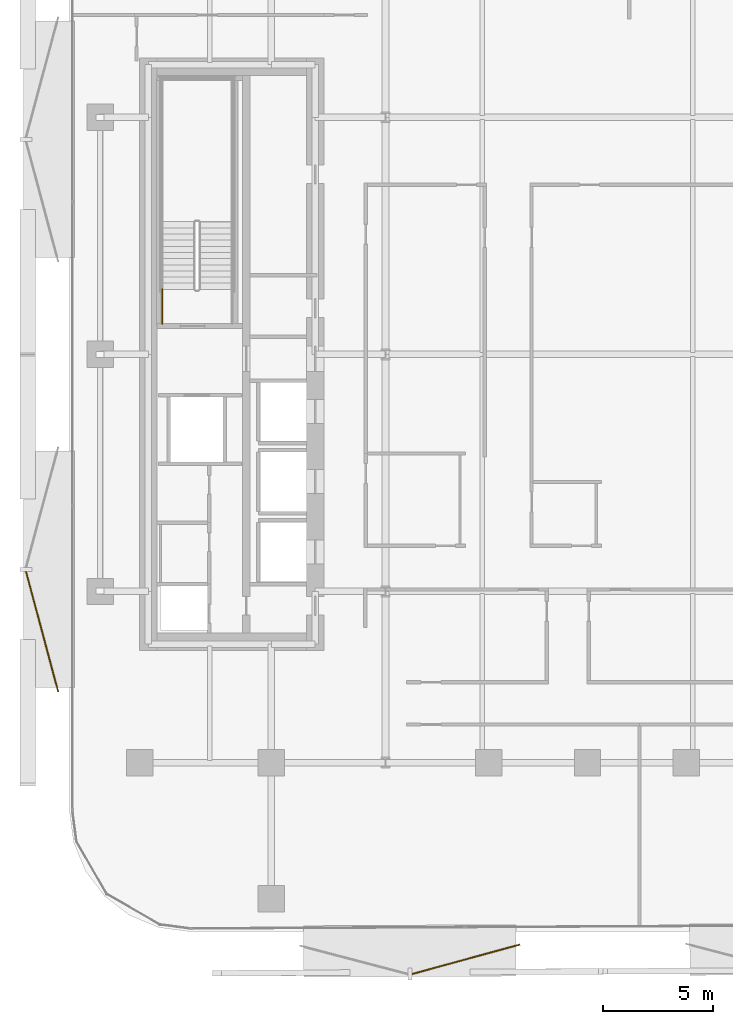
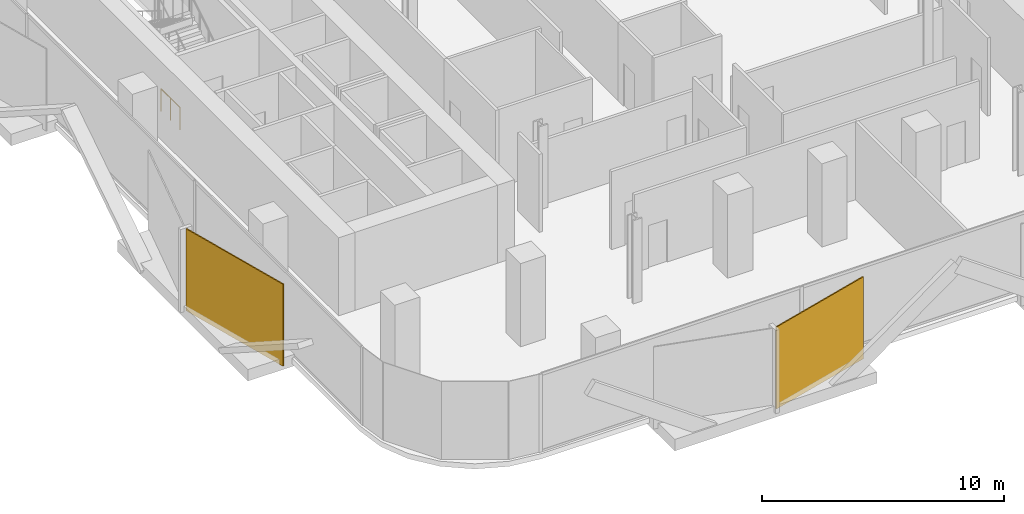
# One storey, part 11 of 15: 2 coverings, 1 railing.
"""IFC4 building model written with IfcOpenShell, lengths in metres."""

from ifc_helpers import new_model, si_unit, direction, frame, origin, origin_2d, place, context, subcontext, project, spatial, rectangle, circle, extrude, material, layer, layer_set, type_object, element, save


model = new_model("IFC4")

# Units and contexts
model_context = context("Model", 3, precision=1e-05, world=origin(), true_north=direction((0.0, 1.0)))
body_context = subcontext(model_context, "Body", "Model", "MODEL_VIEW")
ifc_project = project(units=[si_unit("LENGTHUNIT", "METRE"), si_unit("AREAUNIT", "SQUARE_METRE"), si_unit("VOLUMEUNIT", "CUBIC_METRE"), si_unit("PLANEANGLEUNIT", "RADIAN"), si_unit("MASSUNIT", "GRAM", prefix="KILO")], contexts=[model_context])

# Site, building, storey
site_placement = place(None, origin())
site = spatial("IfcSite", under=ifc_project, at=site_placement, CompositionType="ELEMENT")
building_placement = place(site_placement, origin())
building = spatial("IfcBuilding", under=site, at=building_placement, Name="Khairoan Windgate Tower", CompositionType="ELEMENT")
storey_placement = place(building_placement, frame((0.0, 0.0, 101.60009765625)))
storey = spatial("IfcBuildingStorey", under=building, at=storey_placement, Name="L23", CompositionType="ELEMENT", Elevation=101.60009765625)

# Coverings
ifc_material_1 = material(Name="Anodised Bronze Aluminium 6063-T6", Category="aluminium")
ifc_layer = layer(ifc_material_1, 0.054931640625, Name="Anodised Bronze Aluminium 6063-T6")
ifc_layer_set = layer_set([ifc_layer], Name="Anodised Bronze Aluminium 6063-T6")
covering_type = type_object("IfcCoveringType", Name="Perforated Bronze-Ceramic Folded Solar Screen Cladding BSC-1", PredefinedType="CLADDING", material=ifc_layer_set)
covering_1_placement = place(storey_placement, frame((-5.53564453125, -27.55859375, -0.10009765625), z_axis=(0.0, 0.0, 1.0), x_axis=(-0.964649468762, -0.263536339841, 0.0)))
element("IfcCovering", 1, at=covering_1_placement, inside=storey, type_object=covering_type, Name="L23 Folded Bronze Solar Screen Facet 130L", PredefinedType="CLADDING", context=body_context, shape_type="SweptSolid", body=[
    extrude(rectangle(XDim=5.10107421875, YDim=0.054931640625, at=origin_2d()), origin(), (0.0, 0.0, 1.0), 4.139892578125),
])
covering_2_placement = place(storey_placement, frame((-24.8447265625, -12.629150390625, -0.10009765625), z_axis=(0.0, 0.0, 1.0), x_axis=(-0.258819045103, 0.965925826289, 0.0)))
element("IfcCovering", 2, at=covering_2_placement, inside=storey, type_object=covering_type, Name="L23 Folded Bronze Solar Screen Facet 131L", PredefinedType="CLADDING", context=body_context, shape_type="SweptSolid", body=[
    extrude(rectangle(XDim=5.680908203125, YDim=0.054931640625, at=origin_2d()), origin(), (0.0, 0.0, 1.0), 4.139892578125),
])

# Railing
ifc_material_2 = material(Name="Steel S355", Category="steel")
railing_type = type_object("IfcRailingType", Name="Stairwell Safety Guardrail SGR-1150", PredefinedType="GUARDRAIL", material=ifc_material_2)
railing_placement = place(storey_placement, frame((-19.3701171875, 1.39990234375, 0.0)))
element("IfcRailing", 3, at=railing_placement, inside=storey, type_object=railing_type, Name="L23 ST2 stair guard 9", PredefinedType="GUARDRAIL", context=body_context, shape_type="SweptSolid", body=[
    extrude(circle(Radius=0.02392578125, at=origin_2d()), frame((0.0, 0.0, 1.1259765625), z_axis=(0.0, 1.0, 0.0), x_axis=(-1.0, 0.0, 0.0)), (0.0, 0.0, 1.0), 1.56005859375),
    extrude(circle(Radius=0.02099609375, at=origin_2d()), origin(), (0.0, 0.0, 1.0), 1.101806640625),
    extrude(circle(Radius=0.02099609375, at=origin_2d()), frame((0.0, 0.780029296875, 0.0)), (0.0, 0.0, 1.0), 1.101806640625),
    extrude(circle(Radius=0.02099609375, at=origin_2d()), frame((0.0, 1.56005859375, 0.0)), (0.0, 0.0, 1.0), 1.101806640625),
])

save(model, "model.ifc")
